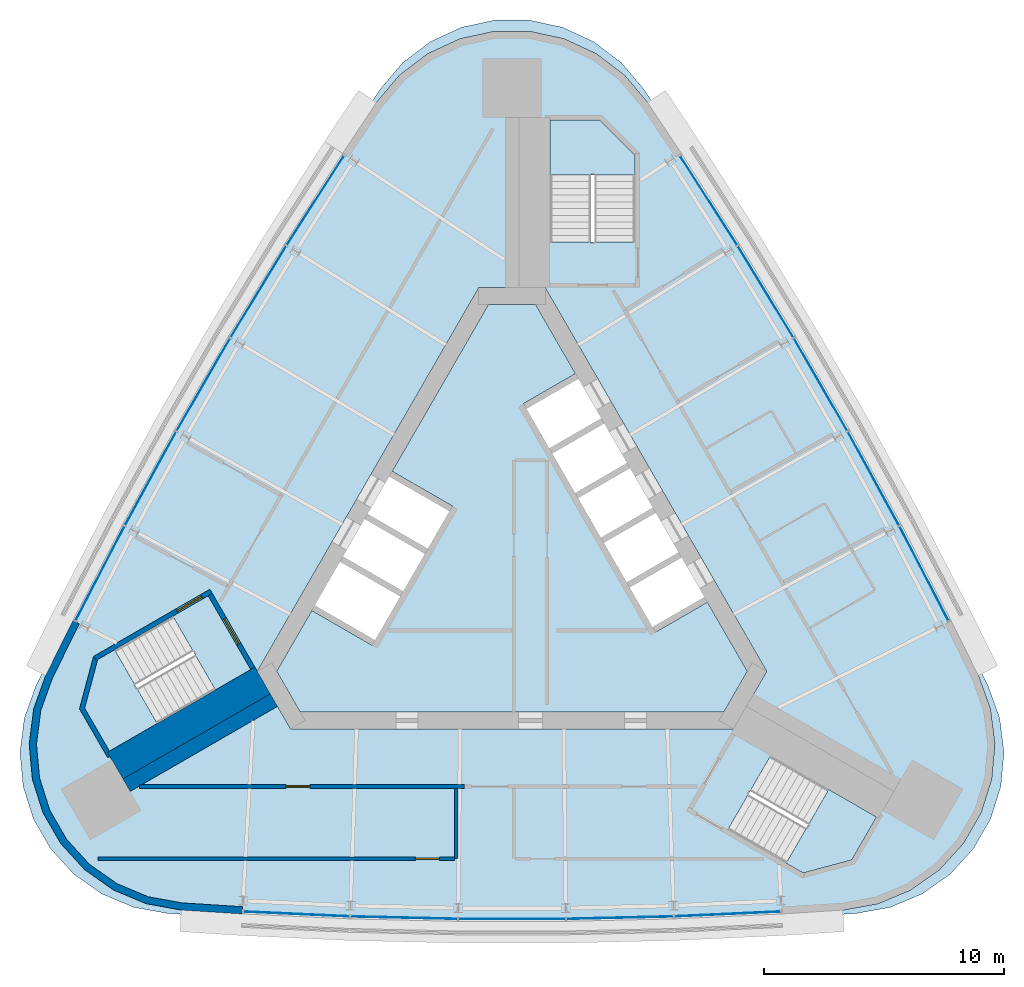
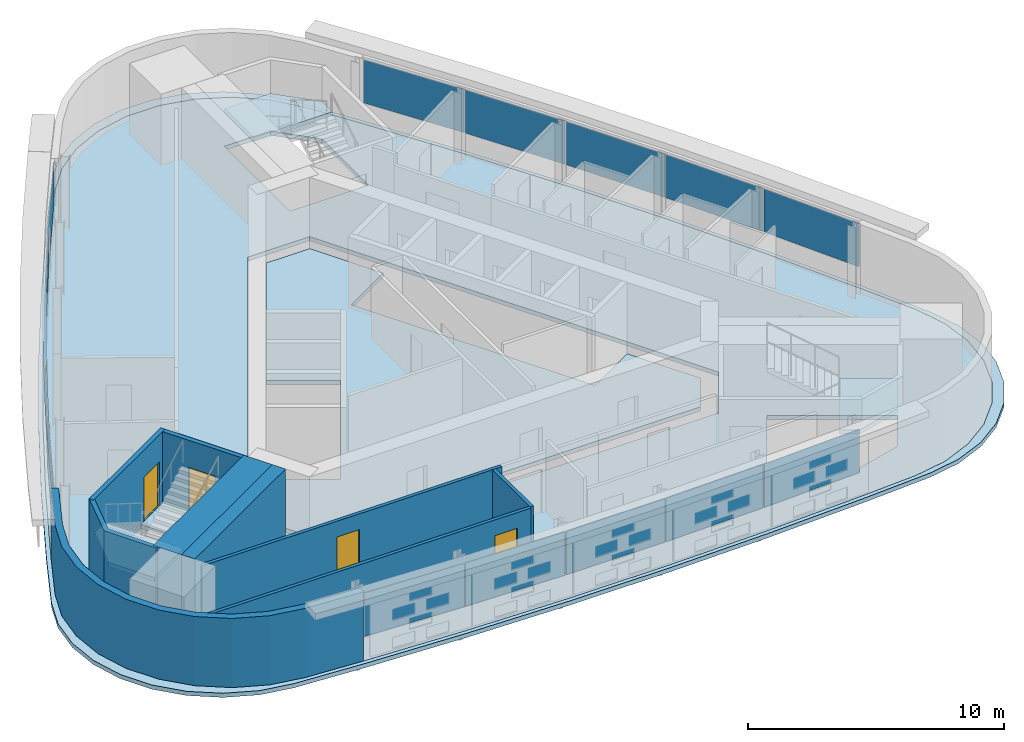
# One storey, part 5 of 10: 15 plates, 9 walls, 6 slabs, 4 doors, 4 openings, 6 elements without a shape of their own.
"""IFC4 building model written with IfcOpenShell, lengths in metres."""

from ifc_helpers import new_model, si_unit, direction, frame, frame_2d, origin, origin_2d, place, context, subcontext, project, spatial, polyline, rectangle, outline, extrude, material, layer, layer_set, type_object, element, fill, aggregate, save


model = new_model("IFC4")

# Units and contexts
model_context = context("Model", 3, precision=1e-05, world=origin(), true_north=direction((0.0, 1.0)))
body_context = subcontext(model_context, "Body", "Model", "MODEL_VIEW")
ifc_project = project(units=[si_unit("LENGTHUNIT", "METRE"), si_unit("AREAUNIT", "SQUARE_METRE"), si_unit("VOLUMEUNIT", "CUBIC_METRE"), si_unit("PLANEANGLEUNIT", "RADIAN"), si_unit("MASSUNIT", "GRAM", prefix="KILO")], contexts=[model_context])

# Site, building, storey
site_placement = place(None, origin())
site = spatial("IfcSite", under=ifc_project, at=site_placement, CompositionType="ELEMENT")
building_placement = place(site_placement, origin())
building = spatial("IfcBuilding", under=site, at=building_placement, Name="Noor Cloister Tower", CompositionType="ELEMENT")
storey_placement = place(building_placement, frame((0.0, 0.0, 240.0)))
storey = spatial("IfcBuildingStorey", under=building, at=storey_placement, Name="L62", CompositionType="ELEMENT", Elevation=240.0)

# Slabs
ifc_material_1 = material(Name="Concrete C40/50", Category="concrete")
ifc_layer_1 = layer(ifc_material_1, 0.199951171875)
ifc_layer_set_1 = layer_set([ifc_layer_1], Name="Core floor slab 200 C40/50")
slab_type_1 = type_object("IfcSlabType", Name="Core floor slab 200 C40/50", PredefinedType="FLOOR", material=ifc_layer_set_1)
slab_1_placement = place(storey_placement, frame((0.0, 0.0, -0.199951171875)))
element("IfcSlab", 1, at=slab_1_placement, inside=storey, type_object=slab_type_1, Name="Core floor L62", PredefinedType="FLOOR", context=body_context, shape_type="SweptSolid", body=[
    extrude(outline(polyline([(2.643798828125, 7.877197265625), (0.9814453125, 10.75634765625), (-0.9814453125, 10.75634765625), (-4.993896484375, 3.806884765625), (-2.482421875, 2.35693359375), (-5.832275390625, -3.4453125), (-8.34375, -1.995361328125), (-9.80615234375, -4.5283203125), (-8.82470703125, -6.228271484375), (8.82470703125, -6.228271484375), (9.80615234375, -4.5283203125), (8.143798828125, -1.64892578125), (5.978759765625, -2.89892578125), (0.478759765625, 6.627197265625), (2.643798828125, 7.877197265625)])), origin(), (0.0, 0.0, 1.0), 0.199951171875),
])
ifc_material_2 = material(Name="Concrete C40/50", Category="concrete")
ifc_layer_2 = layer(ifc_material_2, 0.199951171875)
ifc_layer_set_2 = layer_set([ifc_layer_2], Name="Floor slab 200 C40/50")
slab_type_2 = type_object("IfcSlabType", Name="Floor slab 200 C40/50", PredefinedType="FLOOR", material=ifc_layer_set_2)
slab_2_placement = place(storey_placement, frame((0.0, 0.0, -0.199951171875)))
element("IfcSlab", 2, at=slab_2_placement, inside=storey, type_object=slab_type_2, Name="Floor slab L62", PredefinedType="FLOOR", context=body_context, shape_type="SweptSolid", body=[
    extrude(outline(polyline([(5.643798828125, 19.180419921875), (4.690673828125, 20.306640625), (3.51708984375, 21.200927734375), (2.178466796875, 21.821533203125), (0.73779296875, 22.139404296875), (-0.73779296875, 22.139404296875), (-2.178466796875, 21.821533203125), (-3.51708984375, 21.200927734375), (-4.690673828125, 20.306640625), (-5.643798828125, 19.180419921875), (-7.05712890625, 17.0576171875), (-9.4833984375, 13.267822265625), (-11.822021484375, 9.423583984375), (-14.072021484375, 5.5263671875), (-16.232177734375, 1.578857421875), (-18.301025390625, -2.417236328125), (-19.4326171875, -4.702392578125), (-19.931396484375, -6.091064453125), (-20.119140625, -7.5546875), (-19.9873046875, -9.024169921875), (-19.542236328125, -10.430908203125), (-18.804443359375, -11.70849609375), (-17.808837890625, -12.797607421875), (-16.60205078125, -13.646484375), (-15.24072265625, -14.21533203125), (-13.788818359375, -14.47802734375), (-11.243896484375, -14.640625), (-6.748779296875, -14.846923828125), (-2.25, -14.949951171875), (2.25, -14.949951171875), (6.748779296875, -14.846923828125), (11.243896484375, -14.640625), (13.788818359375, -14.47802734375), (15.24072265625, -14.21533203125), (16.60205078125, -13.646484375), (17.808837890625, -12.797607421875), (18.804443359375, -11.70849609375), (19.542236328125, -10.430908203125), (19.9873046875, -9.024169921875), (20.119140625, -7.5546875), (19.931396484375, -6.091064453125), (19.4326171875, -4.702392578125), (18.301025390625, -2.417236328125), (16.232177734375, 1.578857421875), (14.072021484375, 5.5263671875), (11.822021484375, 9.423583984375), (9.4833984375, 13.267822265625), (7.05712890625, 17.0576171875), (5.643798828125, 19.180419921875)]), holes=[polyline([(8.999755859375, -11.126220703125), (12.131591796875, -12.934326171875), (14.1572265625, -12.3916015625), (15.19091796875, -10.601318359375), (10.774658203125, -8.0517578125), (8.999755859375, -11.126220703125)]), polyline([(-17.81005859375, -6.064697265625), (-16.776611328125, -7.85498046875), (-12.3603515625, -5.305419921875), (-14.13525390625, -2.23095703125), (-16.662841796875, -3.690185546875), (-17.267333984375, -4.039306640625), (-17.81005859375, -6.064697265625)]), polyline([(-10.6142578125, -4.5283203125), (-9.228759765625, -6.92822265625), (9.228759765625, -6.92822265625), (10.6142578125, -4.5283203125), (1.3857421875, 11.456298828125), (-1.3857421875, 11.456298828125), (-10.6142578125, -4.5283203125)]), polyline([(3.65283203125, 18.456298828125), (1.585693359375, 18.456298828125), (1.585693359375, 13.35693359375), (5.135498046875, 13.35693359375), (5.135498046875, 16.9736328125), (3.65283203125, 18.456298828125)])]), origin(), (0.0, 0.0, 1.0), 0.199951171875),
])

# Curtain wall, plates
ifc_material_3 = material(Name="Aluminium 6063-T6 anodised", Category="aluminium")
curtain_wall_type = type_object("IfcCurtainWallType", Name="Ribbon curtain wall, upper tower CW5", PredefinedType="NOTDEFINED", material=ifc_material_3)
curtain_wall_1_placement = place(storey_placement, origin())
curtain_wall_1 = element("IfcCurtainWall", 3, at=curtain_wall_1_placement, inside=storey, type_object=curtain_wall_type, Name="CW5 L62 NW run 1", PredefinedType="NOTDEFINED")
ifc_material_4 = material(Name="Clear laminated glass 2 x 8 mm", Category="glass")
ifc_layer_3 = layer(ifc_material_4, 0.028076171875)
ifc_layer_set_3 = layer_set([ifc_layer_3], Name="Glass panel CW5")
plate_type = type_object("IfcPlateType", Name="Glass panel CW5", PredefinedType="CURTAIN_PANEL", material=ifc_layer_set_3)
plate_1_placement = place(storey_placement, frame((-8.195068359375, 15.0947265625, 1.08984375), z_axis=(0.0, 0.0, 1.0), x_axis=(-0.539170940617, -0.842196352874, 0.0)))
plate_1 = element("IfcPlate", 4, at=plate_1_placement, type_object=plate_type, Name="CW5 glass panel 1", PredefinedType="CURTAIN_PANEL", context=body_context, shape_type="SweptSolid", body=[
    extrude(rectangle(XDim=4.413818359375, YDim=0.028076171875, at=origin_2d()), origin(), (0.0, 0.0, 1.0), 2.070068359375),
])
plate_2_placement = place(storey_placement, frame((-10.5673828125, 11.293701171875, 1.08984375), z_axis=(0.0, 0.0, 1.0), x_axis=(-0.519722064783, -0.854335399816, 0.0)))
plate_2 = element("IfcPlate", 5, at=plate_2_placement, type_object=plate_type, Name="CW5 glass panel 2", PredefinedType="CURTAIN_PANEL", context=body_context, shape_type="SweptSolid", body=[
    extrude(rectangle(XDim=4.447509765625, YDim=0.028076171875, at=origin_2d()), origin(), (0.0, 0.0, 1.0), 2.070068359375),
])
plate_3_placement = place(storey_placement, frame((-12.8603515625, 7.425048828125, 1.08984375), z_axis=(0.0, 0.0, 1.0), x_axis=(-0.5, -0.866025403784, 0.0)))
plate_3 = element("IfcPlate", 6, at=plate_3_placement, type_object=plate_type, Name="CW5 glass panel 3", PredefinedType="CURTAIN_PANEL", context=body_context, shape_type="SweptSolid", body=[
    extrude(rectangle(XDim=4.447509765625, YDim=0.028076171875, at=origin_2d()), origin(), (0.0, 0.0, 1.0), 2.070068359375),
])
plate_4_placement = place(storey_placement, frame((-15.064208984375, 3.504638671875, 1.08984375), z_axis=(0.0, 0.0, 1.0), x_axis=(-0.480015127201, -0.877260210917, 0.0)))
plate_4 = element("IfcPlate", 7, at=plate_4_placement, type_object=plate_type, Name="CW5 glass panel 4", PredefinedType="CURTAIN_PANEL", context=body_context, shape_type="SweptSolid", body=[
    extrude(rectangle(XDim=4.447509765625, YDim=0.028076171875, at=origin_2d()), origin(), (0.0, 0.0, 1.0), 2.070068359375),
])
plate_5_placement = place(storey_placement, frame((-17.169921875, -0.4501953125, 1.08984375), z_axis=(0.0, 0.0, 1.0), x_axis=(-0.459777966255, -0.888033907993, 0.0)))
plate_5 = element("IfcPlate", 8, at=plate_5_placement, type_object=plate_type, Name="CW5 glass panel 5", PredefinedType="CURTAIN_PANEL", context=body_context, shape_type="SweptSolid", body=[
    extrude(rectangle(XDim=4.413818359375, YDim=0.028076171875, at=origin_2d()), origin(), (0.0, 0.0, 1.0), 2.070068359375),
])
aggregate(curtain_wall_1, [plate_1, plate_2, plate_3, plate_4, plate_5])

curtain_wall_2_placement = place(storey_placement, origin())
curtain_wall_2 = element("IfcCurtainWall", 9, at=curtain_wall_2_placement, inside=storey, type_object=curtain_wall_type, Name="CW5 L62 S run 2", PredefinedType="NOTDEFINED")
plate_6_placement = place(storey_placement, frame((-8.974853515625, -14.64453125, 1.08984375), z_axis=(0.0, 0.0, 1.0), x_axis=(0.998948906872, -0.045837555119, 0.0)))
plate_6 = element("IfcPlate", 10, at=plate_6_placement, type_object=plate_type, Name="CW5 glass panel 1", PredefinedType="CURTAIN_PANEL", context=body_context, shape_type="SweptSolid", body=[
    extrude(rectangle(XDim=4.413818359375, YDim=0.028076171875, at=origin_2d()), origin(), (0.0, 0.0, 1.0), 2.070068359375),
])
plate_7_placement = place(storey_placement, frame((-4.4970703125, -14.79833984375, 1.08984375), z_axis=(0.0, 0.0, 1.0), x_axis=(0.999737191984, -0.022924811101, 0.0)))
plate_7 = element("IfcPlate", 11, at=plate_7_placement, type_object=plate_type, Name="CW5 glass panel 2", PredefinedType="CURTAIN_PANEL", context=body_context, shape_type="SweptSolid", body=[
    extrude(rectangle(XDim=4.447509765625, YDim=0.028076171875, at=origin_2d()), origin(), (0.0, 0.0, 1.0), 2.070068359375),
])
plate_8_placement = place(storey_placement, frame((0.0, -14.85009765625, 1.08984375), z_axis=(0.0, 0.0, 1.0), x_axis=(1.0, 0.0, 0.0)))
plate_8 = element("IfcPlate", 12, at=plate_8_placement, type_object=plate_type, Name="CW5 glass panel 3", PredefinedType="CURTAIN_PANEL", context=body_context, shape_type="SweptSolid", body=[
    extrude(rectangle(XDim=4.447509765625, YDim=0.028076171875, at=origin_2d()), origin(), (0.0, 0.0, 1.0), 2.070068359375),
])
plate_9_placement = place(storey_placement, frame((4.4970703125, -14.79833984375, 1.08984375), z_axis=(0.0, 0.0, 1.0), x_axis=(0.999737191984, 0.022924811101, 0.0)))
plate_9 = element("IfcPlate", 13, at=plate_9_placement, type_object=plate_type, Name="CW5 glass panel 4", PredefinedType="CURTAIN_PANEL", context=body_context, shape_type="SweptSolid", body=[
    extrude(rectangle(XDim=4.447509765625, YDim=0.028076171875, at=origin_2d()), origin(), (0.0, 0.0, 1.0), 2.070068359375),
])
plate_10_placement = place(storey_placement, frame((8.974853515625, -14.64453125, 1.08984375), z_axis=(0.0, 0.0, 1.0), x_axis=(0.998948906872, 0.045837555119, 0.0)))
plate_10 = element("IfcPlate", 14, at=plate_10_placement, type_object=plate_type, Name="CW5 glass panel 5", PredefinedType="CURTAIN_PANEL", context=body_context, shape_type="SweptSolid", body=[
    extrude(rectangle(XDim=4.413818359375, YDim=0.028076171875, at=origin_2d()), origin(), (0.0, 0.0, 1.0), 2.070068359375),
])
aggregate(curtain_wall_2, [plate_6, plate_7, plate_8, plate_9, plate_10])

curtain_wall_3_placement = place(storey_placement, origin())
curtain_wall_3 = element("IfcCurtainWall", 15, at=curtain_wall_3_placement, inside=storey, type_object=curtain_wall_type, Name="CW5 L62 NE run 3", PredefinedType="NOTDEFINED")
plate_11_placement = place(storey_placement, frame((17.169921875, -0.4501953125, 1.08984375), z_axis=(0.0, 0.0, 1.0), x_axis=(-0.459777966255, 0.888033907993, 0.0)))
plate_11 = element("IfcPlate", 16, at=plate_11_placement, type_object=plate_type, Name="CW5 glass panel 1", PredefinedType="CURTAIN_PANEL", context=body_context, shape_type="SweptSolid", body=[
    extrude(rectangle(XDim=4.413818359375, YDim=0.028076171875, at=origin_2d()), origin(), (0.0, 0.0, 1.0), 2.070068359375),
])
plate_12_placement = place(storey_placement, frame((15.064208984375, 3.504638671875, 1.08984375), z_axis=(0.0, 0.0, 1.0), x_axis=(-0.480015127201, 0.877260210917, 0.0)))
plate_12 = element("IfcPlate", 17, at=plate_12_placement, type_object=plate_type, Name="CW5 glass panel 2", PredefinedType="CURTAIN_PANEL", context=body_context, shape_type="SweptSolid", body=[
    extrude(rectangle(XDim=4.447509765625, YDim=0.028076171875, at=origin_2d()), origin(), (0.0, 0.0, 1.0), 2.070068359375),
])
plate_13_placement = place(storey_placement, frame((12.8603515625, 7.425048828125, 1.08984375), z_axis=(0.0, 0.0, 1.0), x_axis=(-0.5, 0.866025403784, 0.0)))
plate_13 = element("IfcPlate", 18, at=plate_13_placement, type_object=plate_type, Name="CW5 glass panel 3", PredefinedType="CURTAIN_PANEL", context=body_context, shape_type="SweptSolid", body=[
    extrude(rectangle(XDim=4.447509765625, YDim=0.028076171875, at=origin_2d()), origin(), (0.0, 0.0, 1.0), 2.070068359375),
])
plate_14_placement = place(storey_placement, frame((10.5673828125, 11.293701171875, 1.08984375), z_axis=(0.0, 0.0, 1.0), x_axis=(-0.519722064783, 0.854335399816, 0.0)))
plate_14 = element("IfcPlate", 19, at=plate_14_placement, type_object=plate_type, Name="CW5 glass panel 4", PredefinedType="CURTAIN_PANEL", context=body_context, shape_type="SweptSolid", body=[
    extrude(rectangle(XDim=4.447509765625, YDim=0.028076171875, at=origin_2d()), origin(), (0.0, 0.0, 1.0), 2.070068359375),
])
plate_15_placement = place(storey_placement, frame((8.195068359375, 15.0947265625, 1.08984375), z_axis=(0.0, 0.0, 1.0), x_axis=(-0.539170940617, 0.842196352874, 0.0)))
plate_15 = element("IfcPlate", 20, at=plate_15_placement, type_object=plate_type, Name="CW5 glass panel 5", PredefinedType="CURTAIN_PANEL", context=body_context, shape_type="SweptSolid", body=[
    extrude(rectangle(XDim=4.413818359375, YDim=0.028076171875, at=origin_2d()), origin(), (0.0, 0.0, 1.0), 2.070068359375),
])
aggregate(curtain_wall_3, [plate_11, plate_12, plate_13, plate_14, plate_15])

# Slab
ifc_material_5 = material(Name="Concrete C40/50", Category="concrete")
ifc_layer_4 = layer(ifc_material_5, 0.199951171875)
ifc_layer_set_4 = layer_set([ifc_layer_4], Name="Ledge roof 200 C40/50")
slab_type_3 = type_object("IfcSlabType", Name="Ledge roof 200 C40/50", PredefinedType="ROOF", material=ifc_layer_set_4)
slab_3_placement = place(storey_placement, frame((0.0, 0.0, -0.199951171875)))
element("IfcSlab", 21, at=slab_3_placement, inside=storey, type_object=slab_type_3, Name="Ledge roof L62", PredefinedType="ROOF", context=body_context, shape_type="SweptSolid", body=[
    extrude(outline(polyline([(7.212646484375, 17.147705078125), (5.47802734375, 19.7490234375), (4.55126953125, 20.839599609375), (3.412109375, 21.70556640625), (2.113037109375, 22.306396484375), (0.715576171875, 22.614013671875), (-0.715576171875, 22.614013671875), (-2.113037109375, 22.306396484375), (-3.412109375, 21.70556640625), (-4.55126953125, 20.839599609375), (-5.47802734375, 19.7490234375), (-7.212646484375, 17.147705078125), (-9.63671875, 13.3564453125), (-11.974365234375, 9.511474609375), (-14.224365234375, 5.6142578125), (-16.385498046875, 1.66748046875), (-18.45654296875, -2.32763671875), (-19.842041015625, -5.13037109375), (-20.3232421875, -6.478271484375), (-20.503662109375, -7.89794921875), (-20.37451171875, -9.3232421875), (-19.942138671875, -10.687255859375), (-19.2265625, -11.9267578125), (-18.26123046875, -12.983154296875), (-17.091552734375, -13.8076171875), (-15.77197265625, -14.361328125), (-14.3642578125, -14.61865234375), (-11.243896484375, -14.820068359375), (-6.748779296875, -15.02392578125), (-2.25, -15.125732421875), (2.25, -15.125732421875), (6.748779296875, -15.02392578125), (11.243896484375, -14.820068359375), (14.3642578125, -14.61865234375), (15.77197265625, -14.361328125), (17.091552734375, -13.8076171875), (18.26123046875, -12.983154296875), (19.2265625, -11.9267578125), (19.942138671875, -10.687255859375), (20.37451171875, -9.3232421875), (20.503662109375, -7.89794921875), (20.3232421875, -6.478271484375), (19.842041015625, -5.13037109375), (18.45654296875, -2.32763671875), (16.385498046875, 1.66748046875), (14.224365234375, 5.6142578125), (11.974365234375, 9.511474609375), (9.63671875, 13.3564453125), (7.212646484375, 17.147705078125)]), holes=[polyline([(3.51708984375, 21.200927734375), (2.178466796875, 21.821533203125), (0.73779296875, 22.139404296875), (-0.73779296875, 22.139404296875), (-2.178466796875, 21.821533203125), (-3.51708984375, 21.200927734375), (-4.690673828125, 20.306640625), (-5.643798828125, 19.180419921875), (-7.05712890625, 17.0576171875), (-9.4833984375, 13.267822265625), (-11.822021484375, 9.423583984375), (-14.072021484375, 5.5263671875), (-16.232177734375, 1.578857421875), (-18.301025390625, -2.417236328125), (-19.4326171875, -4.702392578125), (-19.931396484375, -6.091064453125), (-20.119140625, -7.5546875), (-19.9873046875, -9.024169921875), (-19.542236328125, -10.430908203125), (-18.804443359375, -11.70849609375), (-17.808837890625, -12.797607421875), (-16.60205078125, -13.646484375), (-15.24072265625, -14.21533203125), (-13.788818359375, -14.47802734375), (-11.243896484375, -14.640625), (-6.748779296875, -14.846923828125), (-2.25, -14.949951171875), (2.25, -14.949951171875), (6.748779296875, -14.846923828125), (11.243896484375, -14.640625), (13.788818359375, -14.47802734375), (15.24072265625, -14.21533203125), (16.60205078125, -13.646484375), (17.808837890625, -12.797607421875), (18.804443359375, -11.70849609375), (19.542236328125, -10.430908203125), (19.9873046875, -9.024169921875), (20.119140625, -7.5546875), (19.931396484375, -6.091064453125), (19.4326171875, -4.702392578125), (18.301025390625, -2.417236328125), (16.232177734375, 1.578857421875), (14.072021484375, 5.5263671875), (11.822021484375, 9.423583984375), (9.4833984375, 13.267822265625), (7.05712890625, 17.0576171875), (5.643798828125, 19.180419921875), (4.690673828125, 20.306640625), (3.51708984375, 21.200927734375)])]), origin(), (0.0, 0.0, 1.0), 0.199951171875),
])

# Stair, slab
ifc_material_6 = material(Name="Concrete C40/50", Category="concrete")
stair_type = type_object("IfcStairType", Name="Exit stair 22 risers", PredefinedType="HALF_TURN_STAIR", material=ifc_material_6)
stair_1_placement = place(storey_placement, origin())
stair_1 = element("IfcStair", 22, at=stair_1_placement, inside=storey, type_object=stair_type, Name="Exit stair ST1 L62", PredefinedType="HALF_TURN_STAIR")
ifc_material_7 = material(Name="Concrete C40/50", Category="concrete")
ifc_layer_5 = layer(ifc_material_7, 0.199951171875)
ifc_layer_set_5 = layer_set([ifc_layer_5], Name="Stair landing 200 C40/50")
slab_type_4 = type_object("IfcSlabType", Name="Stair landing 200 C40/50", PredefinedType="LANDING", material=ifc_layer_set_5)
slab_4_placement = place(storey_placement, frame((0.0, 0.0, 1.60009765625)))
slab_4 = element("IfcSlab", 23, at=slab_4_placement, type_object=slab_type_4, Name="ST1 landing 1", PredefinedType="LANDING", context=body_context, shape_type="SweptSolid", body=[
    extrude(outline(polyline([(5.135498046875, 16.15576171875), (5.135498046875, 16.9736328125), (3.65283203125, 18.456298828125), (1.585693359375, 18.456298828125), (1.585693359375, 16.15576171875), (5.135498046875, 16.15576171875)])), origin(), (0.0, 0.0, 1.0), 0.199951171875),
])
aggregate(stair_1, [slab_4])

stair_2_placement = place(storey_placement, origin())
stair_2 = element("IfcStair", 24, at=stair_2_placement, inside=storey, type_object=stair_type, Name="Exit stair ST2 L62", PredefinedType="HALF_TURN_STAIR")
slab_5_placement = place(storey_placement, frame((0.0, 0.0, 1.60009765625)))
slab_5 = element("IfcSlab", 25, at=slab_5_placement, type_object=slab_type_4, Name="ST2 landing 1", PredefinedType="LANDING", context=body_context, shape_type="SweptSolid", body=[
    extrude(outline(polyline([(-16.55908203125, -3.63037109375), (-17.267333984375, -4.039306640625), (-17.81005859375, -6.064697265625), (-16.776611328125, -7.85498046875), (-14.7841796875, -6.70458984375), (-16.55908203125, -3.63037109375)])), origin(), (0.0, 0.0, 1.0), 0.199951171875),
])
aggregate(stair_2, [slab_5])

stair_3_placement = place(storey_placement, origin())
stair_3 = element("IfcStair", 26, at=stair_3_placement, inside=storey, type_object=stair_type, Name="Exit stair ST3 L62", PredefinedType="HALF_TURN_STAIR")
slab_6_placement = place(storey_placement, frame((0.0, 0.0, 1.60009765625)))
slab_6 = element("IfcSlab", 27, at=slab_6_placement, type_object=slab_type_4, Name="ST3 landing 1", PredefinedType="LANDING", context=body_context, shape_type="SweptSolid", body=[
    extrude(outline(polyline([(11.423583984375, -12.525390625), (12.131591796875, -12.934326171875), (14.1572265625, -12.3916015625), (15.19091796875, -10.601318359375), (13.198486328125, -9.451171875), (11.423583984375, -12.525390625)])), origin(), (0.0, 0.0, 1.0), 0.199951171875),
])
aggregate(stair_3, [slab_6])

# Wall
ifc_material_8 = material(Name="Concrete C60/75", Category="concrete")
ifc_layer_6 = layer(ifc_material_8, 0.60009765625)
ifc_layer_set_6 = layer_set([ifc_layer_6], Name="Buttress wall 600 C60/75")
wall_type_1 = type_object("IfcWallType", Name="Buttress wall 600 C60/75", PredefinedType="SHEAR", material=ifc_layer_set_6)
wall_1_placement = place(storey_placement, frame((-9.921630859375, -5.728271484375, -0.199951171875), z_axis=(0.0, 0.0, 1.0), x_axis=(-0.866029688112, -0.499992579254, 0.0)))
element("IfcWall", 28, at=wall_1_placement, inside=storey, type_object=wall_type_1, Name="Buttress wall SW L62", PredefinedType="SHEAR", context=body_context, shape_type="SweptSolid", body=[
    extrude(rectangle(XDim=7.09326171875, YDim=0.60009765625, at=frame_2d((3.546630859375, 0.0))), origin(), (0.0, 0.0, 1.0), 3.599853515625),
])

# Wall, opening, door
ifc_material_9 = material(Name="Gypsum board partition on steel studs, 150 mm", Category="steel")
ifc_layer_7 = layer(ifc_material_9, 0.14990234375)
ifc_layer_set_7 = layer_set([ifc_layer_7], Name="Flat wall 150")
wall_type_2 = type_object("IfcWallType", Name="Flat wall 150", PredefinedType="PARTITIONING", material=ifc_layer_set_7)
wall_2_placement = place(storey_placement, frame((-15.514404296875, -9.328125, 0.0), z_axis=(0.0, 0.0, 1.0), x_axis=(1.0, 0.0, 0.0)))
wall_2 = element("IfcWall", 29, at=wall_2_placement, inside=storey, type_object=wall_type_2, Name="Wall L62-W14", PredefinedType="PARTITIONING", context=body_context, shape_type="SweptSolid", body=[
    extrude(rectangle(XDim=13.52880859375, YDim=0.14990234375, at=frame_2d((6.764404296875, 0.0))), origin(), (0.0, 0.0, 1.0), 2.85205078125),
])
opening_1_placement = place(wall_2_placement, frame((6.09619140625, 0.0, 0.0)))
opening_1 = element("IfcOpeningElement", 30, at=opening_1_placement, cuts=wall_2, Name="Opening L62-011", PredefinedType="OPENING", context=body_context, shape_type="SweptSolid", body=[
    extrude(rectangle(XDim=1.0, YDim=2.10009765625, at=frame_2d((0.5, 1.050048828125))), frame((0.0, 0.0849609375, 0.0), z_axis=(0.0, -1.0, 0.0), x_axis=(1.0, 0.0, 0.0)), (0.0, 0.0, 1.0), 0.169921875),
])
ifc_material_10 = material(Name="Timber door leaf with steel frame", Category="steel")
door_type_1 = type_object("IfcDoorType", Name="Interior door 1000 FD60", OperationType="NOTDEFINED", PredefinedType="DOOR", material=ifc_material_10)
door_1_placement = place(opening_1_placement, origin())
door_1 = element("IfcDoor", 31, at=door_1_placement, inside=storey, type_object=door_type_1, Name="Door L62-011", OperationType="SINGLE_SWING_LEFT", OverallHeight=2.10009765625, OverallWidth=1.0, PredefinedType="DOOR", context=body_context, shape_type="SweptSolid", body=[
    extrude(rectangle(XDim=1.0, YDim=2.10009765625, at=frame_2d((0.5, 1.050048828125))), frame((0.0, 0.02490234375, 0.0), z_axis=(0.0, -1.0, 0.0), x_axis=(1.0, 0.0, 0.0)), (0.0, 0.0, 1.0), 0.050048828125),
])
fill(opening_1, door_1)

# Wall
wall_3_placement = place(storey_placement, frame((-2.322021484375, -9.4033203125, 0.0), z_axis=(0.0, 0.0, 1.0), x_axis=(0.0, -1.0, 0.0)))
element("IfcWall", 32, at=wall_3_placement, inside=storey, type_object=wall_type_2, Name="Wall L62-W17", PredefinedType="PARTITIONING", context=body_context, shape_type="SweptSolid", body=[
    extrude(rectangle(XDim=2.9365234375, YDim=0.14990234375, at=frame_2d((1.46826171875, 0.0))), origin(), (0.0, 0.0, 1.0), 2.85205078125),
])

# Wall, opening, door
wall_4_placement = place(storey_placement, frame((-17.24267578125, -12.33984375, 0.0), z_axis=(0.0, 0.0, 1.0), x_axis=(1.0, 0.0, 0.0)))
wall_4 = element("IfcWall", 33, at=wall_4_placement, inside=storey, type_object=wall_type_2, Name="Wall L62-W19", PredefinedType="PARTITIONING", context=body_context, shape_type="SweptSolid", body=[
    extrude(rectangle(XDim=14.845703125, YDim=0.14990234375, at=frame_2d((7.4228515625, 0.0))), origin(), (0.0, 0.0, 1.0), 2.85205078125),
])
opening_2_placement = place(wall_4_placement, frame((13.220703125, 0.0, 0.0)))
opening_2 = element("IfcOpeningElement", 34, at=opening_2_placement, cuts=wall_4, Name="Opening L62-010", PredefinedType="OPENING", context=body_context, shape_type="SweptSolid", body=[
    extrude(rectangle(XDim=1.0, YDim=2.10009765625, at=frame_2d((0.5, 1.050048828125))), frame((0.0, 0.0849609375, 0.0), z_axis=(0.0, -1.0, 0.0), x_axis=(1.0, 0.0, 0.0)), (0.0, 0.0, 1.0), 0.169921875),
])
door_2_placement = place(opening_2_placement, origin())
door_2 = element("IfcDoor", 35, at=door_2_placement, inside=storey, type_object=door_type_1, Name="Door L62-010", OperationType="SINGLE_SWING_RIGHT", OverallHeight=2.10009765625, OverallWidth=1.0, PredefinedType="DOOR", context=body_context, shape_type="SweptSolid", body=[
    extrude(rectangle(XDim=1.0, YDim=2.10009765625, at=frame_2d((0.5, 1.050048828125))), frame((0.0, 0.02490234375, 0.0), z_axis=(0.0, -1.0, 0.0), x_axis=(1.0, 0.0, 0.0)), (0.0, 0.0, 1.0), 0.050048828125),
])
fill(opening_2, door_2)

# Walls
ifc_material_11 = material(Name="Limestone", Category="masonry")
ifc_layer_8 = layer(ifc_material_11, 0.300048828125)
ifc_layer_set_8 = layer_set([ifc_layer_8], Name="Limestone cladding 300")
wall_type_3 = type_object("IfcWallType", Name="Limestone cladding 300", PredefinedType="NOTDEFINED", material=ifc_layer_set_8)
wall_5_placement = place(storey_placement, origin())
element("IfcWall", 36, at=wall_5_placement, inside=storey, type_object=wall_type_3, Name="Limestone pier cladding L62 1.1", PredefinedType="NOTDEFINED", context=body_context, shape_type="SweptSolid", body=[
    extrude(outline(polyline([(-18.301025390625, -2.417236328125), (-19.4326171875, -4.702392578125), (-19.931396484375, -6.091064453125), (-20.119140625, -7.5546875), (-19.9873046875, -9.024169921875), (-19.542236328125, -10.430908203125), (-18.804443359375, -11.70849609375), (-17.808837890625, -12.797607421875), (-16.60205078125, -13.646484375), (-15.24072265625, -14.21533203125), (-13.788818359375, -14.47802734375), (-11.243896484375, -14.640625), (-11.224609375, -14.341064453125), (-13.75244140625, -14.1796875), (-15.1552734375, -13.926025390625), (-16.4560546875, -13.38232421875), (-17.609375, -12.571044921875), (-18.56103515625, -11.5302734375), (-19.26611328125, -10.30908203125), (-19.69140625, -8.96484375), (-19.8173828125, -7.560302734375), (-19.637939453125, -6.161865234375), (-19.15625, -4.820068359375), (-18.0322265625, -2.55029296875), (-18.301025390625, -2.417236328125)])), origin(), (0.0, 0.0, 1.0), 3.300048828125),
])
ifc_material_12 = material(Name="Concrete C60/75", Category="concrete")
ifc_layer_9 = layer(ifc_material_12, 1.285888671875)
ifc_layer_set_9 = layer_set([ifc_layer_9], Name="Stair enclosure wall 1286 C60/75")
wall_type_4 = type_object("IfcWallType", Name="Stair enclosure wall 1286 C60/75", PredefinedType="SHEAR", material=ifc_layer_set_9)
wall_6_placement = place(storey_placement, frame((-10.392822265625, -4.91162109375, -0.199951171875), z_axis=(0.0, 0.0, 1.0), x_axis=(-0.866023389271, -0.500003489223, 0.0)))
element("IfcWall", 37, at=wall_6_placement, inside=storey, type_object=wall_type_4, Name="Stair enclosure wall ST2 L62 riser side", PredefinedType="SHEAR", context=body_context, shape_type="SweptSolid", body=[
    extrude(rectangle(XDim=7.09375, YDim=1.28564453125, at=frame_2d((3.546875, 0.0))), origin(), (0.0, 0.0, 1.0), 3.599853515625),
])

# Wall, opening, door
ifc_material_13 = material(Name="Concrete C60/75", Category="concrete")
ifc_layer_10 = layer(ifc_material_13, 0.199951171875)
ifc_layer_set_10 = layer_set([ifc_layer_10], Name="Stair enclosure wall 200 C60/75")
wall_type_5 = type_object("IfcWallType", Name="Stair enclosure wall 200 C60/75", PredefinedType="SHEAR", material=ifc_layer_set_10)
wall_7_placement = place(storey_placement, frame((-12.575927734375, -1.33056640625, -0.199951171875), z_axis=(0.0, 0.0, 1.0), x_axis=(0.499970499736, -0.8660424351, 0.0)))
wall_7 = element("IfcWall", 38, at=wall_7_placement, inside=storey, type_object=wall_type_5, Name="Stair enclosure wall ST2 L62 near end", PredefinedType="SHEAR", context=body_context, shape_type="SweptSolid", body=[
    extrude(rectangle(XDim=3.550048828125, YDim=0.199951171875, at=frame_2d((1.77490234375, 0.0))), origin(), (0.0, 0.0, 1.0), 3.599853515625),
])
opening_3_placement = place(wall_7_placement, frame((1.175048828125, 0.0, 0.199951171875)))
opening_3 = element("IfcOpeningElement", 39, at=opening_3_placement, cuts=wall_7, Name="Opening L62-ST2L", PredefinedType="OPENING", context=body_context, shape_type="SweptSolid", body=[
    extrude(rectangle(XDim=1.199951171875, YDim=2.10009765625, at=frame_2d((0.60009765625, 1.050048828125))), frame((0.0, 0.10986328125, 0.0), z_axis=(0.0, -1.0, 0.0), x_axis=(1.0, 0.0, 0.0)), (0.0, 0.0, 1.0), 0.219970703125),
])
ifc_material_14 = material(Name="Steel", Category="steel")
door_type_2 = type_object("IfcDoorType", Name="Stair door 1200 x 2100 FD120", OperationType="SINGLE_SWING_LEFT", PredefinedType="DOOR", material=ifc_material_14)
door_3_placement = place(opening_3_placement, origin())
door_3 = element("IfcDoor", 40, at=door_3_placement, inside=storey, type_object=door_type_2, Name="Stair door ST2 L62", OperationType="SINGLE_SWING_RIGHT", OverallHeight=2.10009765625, OverallWidth=1.199951171875, PredefinedType="DOOR", context=body_context, shape_type="SweptSolid", body=[
    extrude(rectangle(XDim=1.199951171875, YDim=2.10009765625, at=frame_2d((0.60009765625, 1.050048828125))), frame((0.0, 0.02490234375, 0.0), z_axis=(0.0, -1.0, 0.0), x_axis=(1.0, 0.0, 0.0)), (0.0, 0.0, 1.0), 0.050048828125),
])
fill(opening_3, door_3)

wall_8_placement = place(storey_placement, frame((-12.539306640625, -1.194091796875, -0.199951171875), z_axis=(0.0, 0.0, 1.0), x_axis=(-0.866045472092, -0.499965239061, 0.0)))
wall_8 = element("IfcWall", 41, at=wall_8_placement, inside=storey, type_object=wall_type_5, Name="Stair enclosure wall ST2 L62 outer side", PredefinedType="SHEAR", context=body_context, shape_type="SweptSolid", body=[
    extrude(rectangle(XDim=5.60009765625, YDim=0.199951171875, at=frame_2d((2.800048828125, 0.0))), origin(), (0.0, 0.0, 1.0), 3.599853515625),
])
opening_4_placement = place(wall_8_placement, frame((0.449951171875, 0.0, 0.199951171875)))
opening_4 = element("IfcOpeningElement", 42, at=opening_4_placement, cuts=wall_8, Name="Opening L62-ST2C", PredefinedType="OPENING", context=body_context, shape_type="SweptSolid", body=[
    extrude(rectangle(XDim=1.199951171875, YDim=2.10009765625, at=frame_2d((0.60009765625, 1.050048828125))), frame((0.0, 0.10986328125, 0.0), z_axis=(0.0, -1.0, 0.0), x_axis=(1.0, 0.0, 0.0)), (0.0, 0.0, 1.0), 0.219970703125),
])
door_4_placement = place(opening_4_placement, origin())
door_4 = element("IfcDoor", 43, at=door_4_placement, inside=storey, type_object=door_type_2, Name="Stair door ST2 L62", OperationType="SINGLE_SWING_LEFT", OverallHeight=2.10009765625, OverallWidth=1.199951171875, PredefinedType="DOOR", context=body_context, shape_type="SweptSolid", body=[
    extrude(rectangle(XDim=1.199951171875, YDim=2.10009765625, at=frame_2d((0.60009765625, 1.050048828125))), frame((0.0, 0.02490234375, 0.0), z_axis=(0.0, -1.0, 0.0), x_axis=(1.0, 0.0, 0.0)), (0.0, 0.0, 1.0), 0.050048828125),
])
fill(opening_4, door_4)

# Wall
ifc_material_15 = material(Name="Concrete C60/75", Category="concrete")
wall_type_6 = type_object("IfcWallType", Name="Stair far end wall C60/75", PredefinedType="SHEAR", material=ifc_material_15)
wall_9_placement = place(storey_placement, frame((0.0, 0.0, -0.199951171875)))
element("IfcWall", 44, at=wall_9_placement, inside=storey, type_object=wall_type_6, Name="Stair enclosure wall ST2 L62 far end", PredefinedType="SHEAR", context=body_context, shape_type="SweptSolid", body=[
    extrude(outline(polyline([(-17.439208984375, -3.907470703125), (-18.024658203125, -6.093017578125), (-16.849609375, -8.128173828125), (-16.757568359375, -8.074951171875), (-16.857666015625, -7.90185546875), (-16.857666015625, -7.90185546875), (-16.857666015625, -7.90185546875), (-16.857666015625, -7.90185546875), (-16.857666015625, -7.90185546875), (-16.857666015625, -7.90185546875), (-16.857666015625, -7.90185546875), (-16.857666015625, -7.90185546875), (-16.857666015625, -7.90185546875), (-16.857666015625, -7.90185546875), (-16.857666015625, -7.90185546875), (-16.857666015625, -7.90185546875), (-16.857666015625, -7.90185546875), (-16.857666015625, -7.90185546875), (-16.857666015625, -7.90185546875), (-16.857666015625, -7.90185546875), (-16.857666015625, -7.90185546875), (-16.776611328125, -7.85498046875), (-17.81005859375, -6.064697265625), (-17.267333984375, -4.039306640625), (-17.339111328125, -4.08056640625), (-17.339111328125, -4.08056640625), (-17.339111328125, -4.08056640625), (-17.339111328125, -4.08056640625), (-17.339111328125, -4.08056640625), (-17.339111328125, -4.08056640625), (-17.339111328125, -4.08056640625), (-17.339111328125, -4.08056640625), (-17.339111328125, -4.08056640625), (-17.339111328125, -4.08056640625), (-17.339111328125, -4.08056640625), (-17.339111328125, -4.08056640625), (-17.339111328125, -4.08056640625), (-17.339111328125, -4.08056640625), (-17.339111328125, -4.08056640625), (-17.339111328125, -4.08056640625), (-17.339111328125, -4.08056640625), (-17.439208984375, -3.907470703125)])), origin(), (0.0, 0.0, 1.0), 3.599853515625),
])

save(model, "model.ifc")
